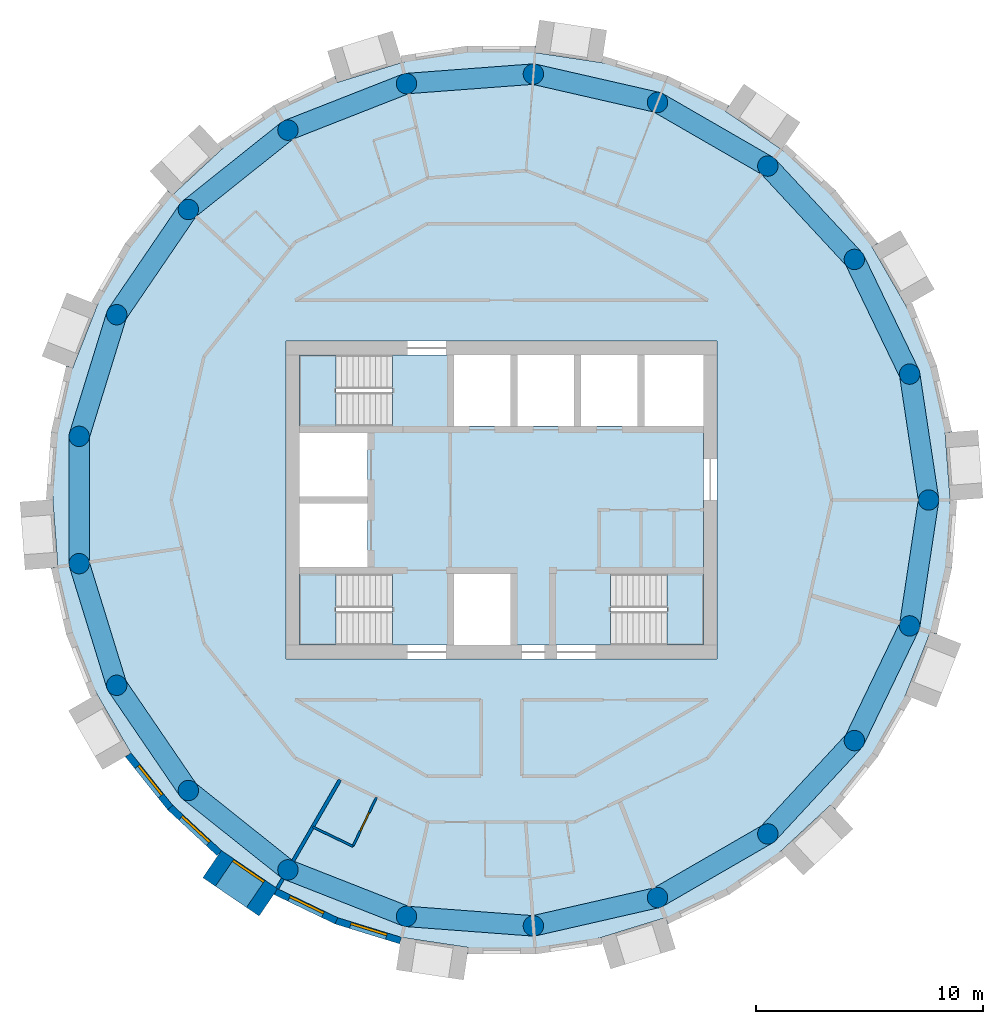
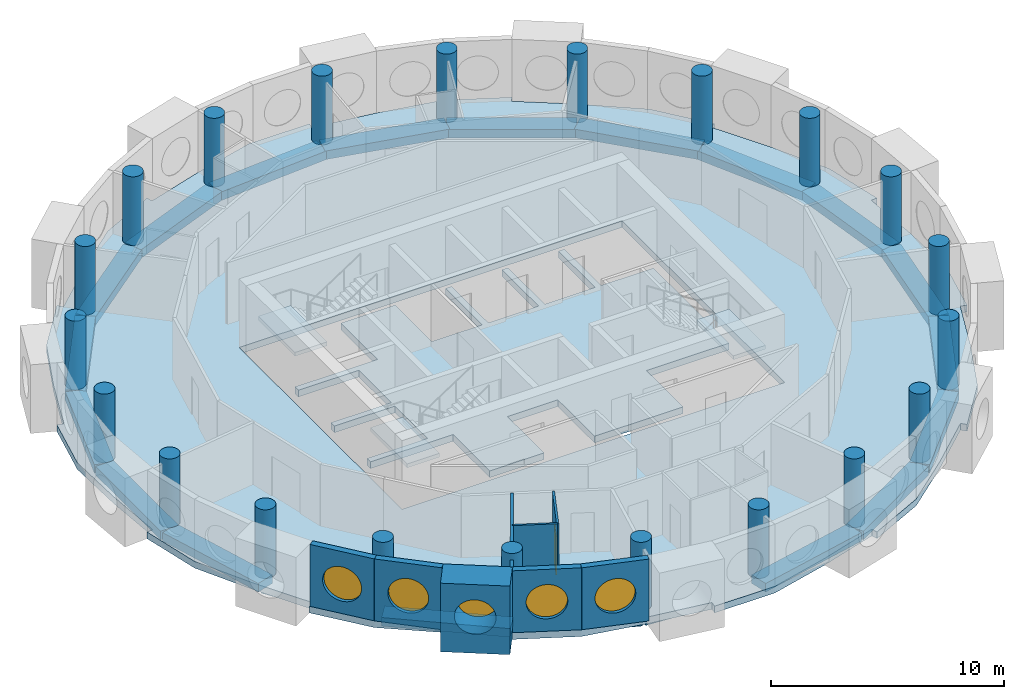
# One storey, part 1 of 13: 21 beams, 21 columns, 8 walls, 5 slabs, 5 windows, 1 door, 6 openings, 3 elements without a shape of their own.
"""IFC4 building model written with IfcOpenShell, lengths in metres."""

from ifc_helpers import new_model, si_unit, direction, frame, frame_2d, origin, origin_2d, place, context, subcontext, project, spatial, polyline, rectangle, circle, outline, extrude, material, layer, layer_set, material_profile, profile_set, type_object, element, fill, aggregate, save


model = new_model("IFC4")

# Units and contexts
model_context = context("Model", 3, precision=1e-05, world=origin(), true_north=direction((0.0, 1.0)))
body_context = subcontext(model_context, "Body", "Model", "MODEL_VIEW")
ifc_project = project(units=[si_unit("LENGTHUNIT", "METRE"), si_unit("AREAUNIT", "SQUARE_METRE"), si_unit("VOLUMEUNIT", "CUBIC_METRE"), si_unit("PLANEANGLEUNIT", "RADIAN"), si_unit("MASSUNIT", "GRAM", prefix="KILO")], contexts=[model_context])

# Site, building, storey
site_placement = place(None, origin())
site = spatial("IfcSite", under=ifc_project, at=site_placement, CompositionType="ELEMENT")
building_placement = place(site_placement, origin())
building = spatial("IfcBuilding", under=site, at=building_placement, Name="Tracery Tower", CompositionType="ELEMENT")
storey_placement = place(building_placement, frame((0.0, 0.0, 319.800048828125)))
storey = spatial("IfcBuildingStorey", under=building, at=storey_placement, Name="L83", CompositionType="ELEMENT", Elevation=319.800048828125)

# Columns
ifc_material_1 = material(Name="Concrete C40/50", Category="concrete")
ifc_material_profile_1 = material_profile(ifc_material_1, circle(Radius=0.449951171875, at=origin_2d()), Name="RC D900")
ifc_profile_set_1 = profile_set([ifc_material_profile_1], Name="Concrete C40/50")
column_type = type_object("IfcColumnType", Name="Ring 2 column 900", PredefinedType="COLUMN", material=ifc_profile_set_1)
for number, where, z_axis, x_axis, name in (
    (1, (18.822265625, 0.0, 0.0), (0.0, 0.0, 1.0), (1.0, 0.0, 0.0), "Ring 2 column 00 at L83"),
    (2, (17.986083984375, 5.5478515625, 0.0), (0.0, 0.0, 1.0), (1.0, 0.0, 0.0), "Ring 2 column 01 at L83"),
    (3, (15.551513671875, 10.602783203125, 0.0), (0.0, 0.0, 1.0), (1.0, 0.0, 0.0), "Ring 2 column 02 at L83"),
    (4, (11.7353515625, 14.7158203125, 0.0), (0.0, 0.0, 1.0), (1.0, 0.0, 0.0), "Ring 2 column 03 at L83"),
    (5, (6.87646484375, 17.52099609375, 0.0), (0.0, 0.0, 1.0), (1.0, 0.0, 0.0), "Ring 2 column 04 at L83"),
    (6, (1.406494140625, 18.76953125, 0.0), (0.0, 0.0, 1.0), (1.0, 0.0, 0.0), "Ring 2 column 05 at L83"),
    (7, (-4.188232421875, 18.350341796875, 0.0), (0.0, 0.0, 1.0), (1.0, 0.0, 0.0), "Ring 2 column 06 at L83"),
    (8, (-9.4111328125, 16.300537109375, 0.0), (0.0, 0.0, 1.0), (1.0, 0.0, 0.0), "Ring 2 column 07 at L83"),
    (9, (-13.797607421875, 12.802490234375, 0.0), (0.0, 0.0, 1.0), (1.0, 0.0, 0.0), "Ring 2 column 08 at L83"),
    (10, (-16.958251953125, 8.16650390625, 0.0), (0.0, 0.0, 1.0), (1.0, 0.0, 0.0), "Ring 2 column 09 at L83"),
    (11, (-18.612060546875, 2.805419921875, 0.0), (0.0, 0.0, 1.0), (1.0, 0.0, 0.0), "Ring 2 column 10 at L83"),
    (12, (-18.612060546875, -2.805419921875, 0.0), (0.0, 0.0, 1.0), (1.0, 0.0, 0.0), "Ring 2 column 11 at L83"),
    (13, (-16.958251953125, -8.166748046875, 0.0), (0.0, 0.0, 1.0), (1.0, 0.0, 0.0), "Ring 2 column 12 at L83"),
    (14, (-13.797607421875, -12.80224609375, 0.0), (0.0, 0.0, 1.0), (1.0, 0.0, 0.0), "Ring 2 column 13 at L83"),
    (15, (-9.4111328125, -16.300537109375, 0.0), (0.0, 0.0, 1.0), (1.0, 0.0, 0.0), "Ring 2 column 14 at L83"),
    (16, (-4.188232421875, -18.350341796875, 0.0), (0.0, 0.0, 1.0), (1.0, 0.0, 0.0), "Ring 2 column 15 at L83"),
    (17, (1.406494140625, -18.76953125, 0.0), (0.0, 0.0, 1.0), (1.0, 0.0, 0.0), "Ring 2 column 16 at L83"),
    (18, (6.87646484375, -17.52099609375, 0.0), (0.0, 0.0, 1.0), (1.0, 0.0, 0.0), "Ring 2 column 17 at L83"),
    (19, (11.7353515625, -14.7158203125, 0.0), (0.0, 0.0, 1.0), (1.0, 0.0, 0.0), "Ring 2 column 18 at L83"),
    (20, (15.551513671875, -10.602783203125, 0.0), (0.0, 0.0, 1.0), (1.0, 0.0, 0.0), "Ring 2 column 19 at L83"),
    (21, (17.986083984375, -5.5478515625, 0.0), (0.0, 0.0, 1.0), (1.0, 0.0, 0.0), "Ring 2 column 20 at L83"),
):
    element("IfcColumn", number, at=place(storey_placement, frame(where, z_axis=z_axis, x_axis=x_axis)), inside=storey, type_object=column_type, Name=name, PredefinedType="COLUMN", context=body_context, shape_type="SweptSolid", body=[
        extrude(circle(Radius=0.449951171875, at=origin_2d()), origin(), (0.0, 0.0, 1.0), 3.599853515625),
    ])

# Beams
ifc_material_2 = material(Name="Concrete C40/50", Category="concrete")
ifc_material_profile_2 = material_profile(ifc_material_2, rectangle(XDim=0.89990234375, YDim=0.449951171875, at=origin_2d()), Name="RC 900x450")
ifc_profile_set_2 = profile_set([ifc_material_profile_2], Name="Concrete C40/50")
beam_type = type_object("IfcBeamType", Name="Perimeter band beam 900x450", PredefinedType="BEAM", material=ifc_profile_set_2)
for number, where, z_axis, x_axis, name in (
    (22, (18.822265625, 0.0, -0.574951171875), (-0.149038355855, 0.988831415603, 0.0), (-0.988831415603, -0.149038355855, 0.0), "Perimeter beam 2.00 under L83"),
    (23, (17.986083984375, 5.5478515625, -0.574951171875), (-0.433918973155, 0.900951899235, 0.0), (-0.900951899235, -0.433918973155, 0.0), "Perimeter beam 2.01 under L83"),
):
    element("IfcBeam", number, at=place(storey_placement, frame(where, z_axis=z_axis, x_axis=x_axis)), inside=storey, type_object=beam_type, Name=name, PredefinedType="BEAM", context=body_context, shape_type="SweptSolid", body=[
        extrude(rectangle(XDim=0.89990234375, YDim=0.449951171875, at=origin_2d()), origin(), (0.0, 0.0, 1.0), 5.610595703125),
    ])
beam_1_placement = place(storey_placement, frame((15.551513671875, 10.602783203125, -0.574951171875), z_axis=(-0.680155630824, 0.733067744386, 0.0), x_axis=(-0.733067744386, -0.680155630824, 0.0)))
element("IfcBeam", 24, at=beam_1_placement, inside=storey, type_object=beam_type, Name="Perimeter beam 2.02 under L83", PredefinedType="BEAM", context=body_context, shape_type="SweptSolid", body=[
    extrude(rectangle(XDim=0.89990234375, YDim=0.449951171875, at=origin_2d()), origin(), (0.0, 0.0, 1.0), 5.61083984375),
])
for number, where, z_axis, x_axis, name in (
    (25, (11.7353515625, 14.7158203125, -0.574951171875), (-0.866033412818, 0.49998612769, 0.0), (-0.49998612769, -0.866033412818, 0.0), "Perimeter beam 2.03 under L83"),
    (26, (6.87646484375, 17.52099609375, -0.574951171875), (-0.974925977366, 0.222529410768, 0.0), (-0.222529410768, -0.974925977366, 0.0), "Perimeter beam 2.04 under L83"),
):
    element("IfcBeam", number, at=place(storey_placement, frame(where, z_axis=z_axis, x_axis=x_axis)), inside=storey, type_object=beam_type, Name=name, PredefinedType="BEAM", context=body_context, shape_type="SweptSolid", body=[
        extrude(rectangle(XDim=0.89990234375, YDim=0.449951171875, at=origin_2d()), origin(), (0.0, 0.0, 1.0), 5.610595703125),
    ])
beam_2_placement = place(storey_placement, frame((1.406494140625, 18.76953125, -0.574951171875), z_axis=(-0.997204824387, -0.07471638521, 0.0), x_axis=(0.07471638521, -0.997204824387, 0.0)))
element("IfcBeam", 27, at=beam_2_placement, inside=storey, type_object=beam_type, Name="Perimeter beam 2.05 under L83", PredefinedType="BEAM", context=body_context, shape_type="SweptSolid", body=[
    extrude(rectangle(XDim=0.89990234375, YDim=0.449951171875, at=origin_2d()), origin(), (0.0, 0.0, 1.0), 5.6103515625),
])
beam_3_placement = place(storey_placement, frame((-4.188232421875, 18.350341796875, -0.574951171875), z_axis=(-0.930875728468, -0.365335979817, 0.0), x_axis=(0.365335979817, -0.930875728468, 0.0)))
element("IfcBeam", 28, at=beam_3_placement, inside=storey, type_object=beam_type, Name="Perimeter beam 2.06 under L83", PredefinedType="BEAM", context=body_context, shape_type="SweptSolid", body=[
    extrude(rectangle(XDim=0.89990234375, YDim=0.449951171875, at=origin_2d()), origin(), (0.0, 0.0, 1.0), 5.61083984375),
])
beam_4_placement = place(storey_placement, frame((-9.4111328125, 16.300537109375, -0.574951171875), z_axis=(-0.781835817725, -0.623484365579, 0.0), x_axis=(0.623484365579, -0.781835817725, 0.0)))
element("IfcBeam", 29, at=beam_4_placement, inside=storey, type_object=beam_type, Name="Perimeter beam 2.07 under L83", PredefinedType="BEAM", context=body_context, shape_type="SweptSolid", body=[
    extrude(rectangle(XDim=0.89990234375, YDim=0.449951171875, at=origin_2d()), origin(), (0.0, 0.0, 1.0), 5.610595703125),
])
beam_5_placement = place(storey_placement, frame((-13.797607421875, 12.802490234375, -0.574951171875), z_axis=(-0.563305770578, -0.826248515178, 0.0), x_axis=(0.826248515178, -0.563305770578, 0.0)))
element("IfcBeam", 30, at=beam_5_placement, inside=storey, type_object=beam_type, Name="Perimeter beam 2.08 under L83", PredefinedType="BEAM", context=body_context, shape_type="SweptSolid", body=[
    extrude(rectangle(XDim=0.89990234375, YDim=0.449951171875, at=origin_2d()), origin(), (0.0, 0.0, 1.0), 5.61083984375),
])
beam_6_placement = place(storey_placement, frame((-16.958251953125, 8.16650390625, -0.574951171875), z_axis=(-0.294776851839, -0.955566118916, 0.0), x_axis=(0.955566118916, -0.294776851839, 0.0)))
element("IfcBeam", 31, at=beam_6_placement, inside=storey, type_object=beam_type, Name="Perimeter beam 2.09 under L83", PredefinedType="BEAM", context=body_context, shape_type="SweptSolid", body=[
    extrude(rectangle(XDim=0.89990234375, YDim=0.449951171875, at=origin_2d()), origin(), (0.0, 0.0, 1.0), 5.6103515625),
])
beam_7_placement = place(storey_placement, frame((-18.612060546875, 2.805419921875, -0.574951171875), z_axis=(0.0, -1.0, 0.0), x_axis=(1.0, 0.0, 0.0)))
element("IfcBeam", 32, at=beam_7_placement, inside=storey, type_object=beam_type, Name="Perimeter beam 2.10 under L83", PredefinedType="BEAM", context=body_context, shape_type="SweptSolid", body=[
    extrude(rectangle(XDim=0.89990234375, YDim=0.449951171875, at=origin_2d()), origin(), (0.0, 0.0, 1.0), 5.61083984375),
])
for number, where, z_axis, x_axis, name in (
    (33, (-18.612060546875, -2.805419921875, -0.574951171875), (0.294764594813, -0.955569899926, 0.0), (0.955569899926, 0.294764594813, 0.0), "Perimeter beam 2.11 under L83"),
    (34, (-16.958251953125, -8.166748046875, -0.574951171875), (0.5633462764, -0.826220898348, 0.0), (0.826220898348, 0.5633462764, 0.0), "Perimeter beam 2.12 under L83"),
    (35, (-13.797607421875, -12.80224609375, -0.574951171875), (0.781814605872, -0.623510963853, 0.0), (0.623510963853, 0.781814605872, 0.0), "Perimeter beam 2.13 under L83"),
):
    element("IfcBeam", number, at=place(storey_placement, frame(where, z_axis=z_axis, x_axis=x_axis)), inside=storey, type_object=beam_type, Name=name, PredefinedType="BEAM", context=body_context, shape_type="SweptSolid", body=[
        extrude(rectangle(XDim=0.89990234375, YDim=0.449951171875, at=origin_2d()), origin(), (0.0, 0.0, 1.0), 5.610595703125),
    ])
beam_8_placement = place(storey_placement, frame((-9.4111328125, -16.300537109375, -0.574951171875), z_axis=(0.930875728468, -0.365335979817, 0.0), x_axis=(0.365335979817, 0.930875728468, 0.0)))
element("IfcBeam", 36, at=beam_8_placement, inside=storey, type_object=beam_type, Name="Perimeter beam 2.14 under L83", PredefinedType="BEAM", context=body_context, shape_type="SweptSolid", body=[
    extrude(rectangle(XDim=0.89990234375, YDim=0.449951171875, at=origin_2d()), origin(), (0.0, 0.0, 1.0), 5.61083984375),
])
beam_9_placement = place(storey_placement, frame((-4.188232421875, -18.350341796875, -0.574951171875), z_axis=(0.997204824387, -0.07471638521, 0.0), x_axis=(0.07471638521, 0.997204824387, 0.0)))
element("IfcBeam", 37, at=beam_9_placement, inside=storey, type_object=beam_type, Name="Perimeter beam 2.15 under L83", PredefinedType="BEAM", context=body_context, shape_type="SweptSolid", body=[
    extrude(rectangle(XDim=0.89990234375, YDim=0.449951171875, at=origin_2d()), origin(), (0.0, 0.0, 1.0), 5.6103515625),
])
for number, where, z_axis, x_axis, name in (
    (38, (1.406494140625, -18.76953125, -0.574951171875), (0.974925977366, 0.222529410768, 0.0), (-0.222529410768, 0.974925977366, 0.0), "Perimeter beam 2.16 under L83"),
    (39, (6.87646484375, -17.52099609375, -0.574951171875), (0.866033412818, 0.49998612769, 0.0), (-0.49998612769, 0.866033412818, 0.0), "Perimeter beam 2.17 under L83"),
):
    element("IfcBeam", number, at=place(storey_placement, frame(where, z_axis=z_axis, x_axis=x_axis)), inside=storey, type_object=beam_type, Name=name, PredefinedType="BEAM", context=body_context, shape_type="SweptSolid", body=[
        extrude(rectangle(XDim=0.89990234375, YDim=0.449951171875, at=origin_2d()), origin(), (0.0, 0.0, 1.0), 5.610595703125),
    ])
beam_10_placement = place(storey_placement, frame((11.7353515625, -14.7158203125, -0.574951171875), z_axis=(0.680155630824, 0.733067744386, 0.0), x_axis=(-0.733067744386, 0.680155630824, 0.0)))
element("IfcBeam", 40, at=beam_10_placement, inside=storey, type_object=beam_type, Name="Perimeter beam 2.18 under L83", PredefinedType="BEAM", context=body_context, shape_type="SweptSolid", body=[
    extrude(rectangle(XDim=0.89990234375, YDim=0.449951171875, at=origin_2d()), origin(), (0.0, 0.0, 1.0), 5.61083984375),
])
for number, where, z_axis, x_axis, name in (
    (41, (15.551513671875, -10.602783203125, -0.574951171875), (0.433918973155, 0.900951899235, 0.0), (-0.900951899235, 0.433918973155, 0.0), "Perimeter beam 2.19 under L83"),
    (42, (17.986083984375, -5.5478515625, -0.574951171875), (0.149038355855, 0.988831415603, 0.0), (-0.988831415603, 0.149038355855, 0.0), "Perimeter beam 2.20 under L83"),
):
    element("IfcBeam", number, at=place(storey_placement, frame(where, z_axis=z_axis, x_axis=x_axis)), inside=storey, type_object=beam_type, Name=name, PredefinedType="BEAM", context=body_context, shape_type="SweptSolid", body=[
        extrude(rectangle(XDim=0.89990234375, YDim=0.449951171875, at=origin_2d()), origin(), (0.0, 0.0, 1.0), 5.610595703125),
    ])

# Slabs
ifc_material_3 = material(Name="Concrete C40/50", Category="concrete")
ifc_layer_1 = layer(ifc_material_3, 0.35009765625)
ifc_layer_set_1 = layer_set([ifc_layer_1], Name="Core floor slab 350 C40")
slab_type_1 = type_object("IfcSlabType", Name="Core floor slab 350 C40", PredefinedType="FLOOR", material=ifc_layer_set_1)
slab_1_placement = place(storey_placement, frame((0.0, 0.0, -0.35009765625)))
element("IfcSlab", 43, at=slab_1_placement, inside=storey, type_object=slab_type_1, Name="L83 core floor 1", PredefinedType="FLOOR", context=body_context, shape_type="SweptSolid", body=[
    extrude(outline(polyline([(-4.800537109375, -3.25), (-8.89990234375, -3.25), (-8.89990234375, -2.949951171875), (-5.89990234375, -2.949951171875), (-5.89990234375, -0.14990234375), (-8.89990234375, -0.14990234375), (-8.89990234375, 0.14990234375), (-5.89990234375, 0.14990234375), (-5.89990234375, 2.949951171875), (-8.89990234375, 2.949951171875), (-8.89990234375, 3.25), (-4.800537109375, 3.25), (-4.800537109375, 6.39990234375), (-2.10009765625, 6.39990234375), (-2.10009765625, 3.25), (0.39990234375, 3.25), (0.39990234375, 6.39990234375), (0.699951171875, 6.39990234375), (0.699951171875, 3.25), (3.199951171875, 3.25), (3.199951171875, 6.39990234375), (3.5, 6.39990234375), (3.5, 3.25), (6.0, 3.25), (6.0, 6.39990234375), (6.300048828125, 6.39990234375), (6.300048828125, 3.25), (8.89990234375, 3.25), (8.89990234375, -3.25), (4.800537109375, -3.25), (4.800537109375, -6.39990234375), (0.39990234375, -6.39990234375), (0.39990234375, -3.25), (-2.10009765625, -3.25), (-2.10009765625, -6.39990234375), (-4.800537109375, -6.39990234375), (-4.800537109375, -3.25)])), origin(), (0.0, 0.0, 1.0), 0.35009765625),
])
ifc_material_4 = material(Name="Concrete C40/50", Category="concrete")
ifc_layer_2 = layer(ifc_material_4, 0.35009765625)
ifc_layer_set_2 = layer_set([ifc_layer_2], Name="Floor slab 350")
slab_type_2 = type_object("IfcSlabType", Name="Floor slab 350", PredefinedType="FLOOR", material=ifc_layer_set_2)
slab_2_placement = place(storey_placement, frame((0.0, 0.0, -0.35009765625)))
element("IfcSlab", 44, at=slab_2_placement, inside=storey, type_object=slab_type_2, Name="Floor slab L83", PredefinedType="FLOOR", context=body_context, shape_type="SweptSolid", body=[
    extrude(outline(polyline([(19.550537109375, 2.94677734375), (19.548828125, 2.96923828125), (19.847900390625, 2.99169921875), (19.180419921875, 5.91650390625), (17.813720703125, 8.577880859375), (16.32470703125, 11.156982421875), (16.583984375, 11.306884765625), (16.58447265625, 11.30712890625), (14.714111328125, 13.652587890625), (12.3271484375, 15.4580078125), (9.8671875, 17.13525390625), (10.0361328125, 17.383056640625), (7.333251953125, 18.684814453125), (4.3994140625, 19.275634765625), (2.3466796875, 19.585205078125), (1.455322265625, 19.719482421875), (1.5, 20.01611328125), (1.5, 20.01611328125), (-1.5, 20.01611328125), (-4.3994140625, 19.275634765625), (-7.223388671875, 18.404541015625), (-7.223388671875, 18.404541015625), (-7.244873046875, 18.39794921875), (-7.333251953125, 18.684814453125), (-10.0361328125, 17.383056640625), (-12.3271484375, 15.4580078125), (-14.493408203125, 13.447998046875), (-14.493408203125, 13.447998046875), (-14.510009765625, 13.4326171875), (-14.714111328125, 13.652587890625), (-14.714111328125, 13.652587890625), (-16.58447265625, 11.30712890625), (-17.81298828125, 8.5791015625), (-18.901123046875, 5.806884765625), (-19.180419921875, 5.91650390625), (-19.847900390625, 2.99169921875), (-19.771484375, 0.000732421875), (-19.63720703125, -1.789306640625), (-19.550537109375, -2.94677734375), (-19.550537109375, -2.94677734375), (-19.548828125, -2.96923828125), (-19.847900390625, -2.99169921875), (-19.180419921875, -5.91650390625), (-17.813720703125, -8.577880859375), (-16.32470703125, -11.156982421875), (-16.583984375, -11.306884765625), (-16.58447265625, -11.30712890625), (-14.714111328125, -13.652587890625), (-12.3271484375, -15.4580078125), (-9.8671875, -17.13525390625), (-10.0361328125, -17.383056640625), (-7.333251953125, -18.684814453125), (-4.3994140625, -19.275634765625), (-2.3466796875, -19.585205078125), (-1.455322265625, -19.719482421875), (-1.5, -20.01611328125), (-1.5, -20.01611328125), (1.5, -20.01611328125), (4.3994140625, -19.275634765625), (7.223388671875, -18.404541015625), (7.223388671875, -18.404541015625), (7.244873046875, -18.39794921875), (7.333251953125, -18.684814453125), (10.0361328125, -17.383056640625), (12.3271484375, -15.4580078125), (14.493408203125, -13.447998046875), (14.493408203125, -13.447998046875), (14.510009765625, -13.4326171875), (14.714111328125, -13.652587890625), (14.714111328125, -13.652587890625), (16.58447265625, -11.30712890625), (17.81298828125, -8.5791015625), (18.901123046875, -5.806884765625), (19.180419921875, -5.91650390625), (19.847900390625, -2.99169921875), (19.771484375, -0.000732421875), (19.63720703125, 1.789306640625), (19.550537109375, 2.94677734375), (19.550537109375, 2.94677734375)]), holes=[polyline([(-9.5, -7.0), (9.5, -7.0), (9.5, 7.0), (-9.5, 7.0), (-9.5, -7.0)])]), origin(), (0.0, 0.0, 1.0), 0.35009765625),
])

# Stair, slab
ifc_material_5 = material(Name="Concrete C32/40", Category="concrete")
stair_type = type_object("IfcStairType", Name="Core stair 22 risers", PredefinedType="HALF_TURN_STAIR", material=ifc_material_5)
stair_1_placement = place(storey_placement, origin())
stair_1 = element("IfcStair", 45, at=stair_1_placement, inside=storey, type_object=stair_type, Name="L83 stair ST1", PredefinedType="HALF_TURN_STAIR")
ifc_material_6 = material(Name="Concrete C32/40", Category="concrete")
ifc_layer_3 = layer(ifc_material_6, 0.199951171875)
ifc_layer_set_3 = layer_set([ifc_layer_3], Name="Stair landing slab 200")
slab_type_3 = type_object("IfcSlabType", Name="Stair landing slab 200", PredefinedType="LANDING", material=ifc_layer_set_3)
slab_3_placement = place(storey_placement, frame((0.0, 0.0, 1.599853515625)))
slab_3 = element("IfcSlab", 46, at=slab_3_placement, type_object=slab_type_3, Name="ST1 landing 1", PredefinedType="LANDING", context=body_context, shape_type="SweptSolid", body=[
    extrude(outline(polyline([(-7.29931640625, -3.25), (-8.89990234375, -3.25), (-8.89990234375, -6.39990234375), (-7.29931640625, -6.39990234375), (-7.29931640625, -3.25)])), origin(), (0.0, 0.0, 1.0), 0.2001953125),
])
aggregate(stair_1, [slab_3])

stair_2_placement = place(storey_placement, origin())
stair_2 = element("IfcStair", 47, at=stair_2_placement, inside=storey, type_object=stair_type, Name="L83 stair ST3", PredefinedType="HALF_TURN_STAIR")
slab_4_placement = place(storey_placement, frame((0.0, 0.0, 1.599853515625)))
slab_4 = element("IfcSlab", 48, at=slab_4_placement, type_object=slab_type_3, Name="ST3 landing 1", PredefinedType="LANDING", context=body_context, shape_type="SweptSolid", body=[
    extrude(outline(polyline([(-7.29931640625, 6.39990234375), (-8.89990234375, 6.39990234375), (-8.89990234375, 3.25), (-7.29931640625, 3.25), (-7.29931640625, 6.39990234375)])), origin(), (0.0, 0.0, 1.0), 0.2001953125),
])
aggregate(stair_2, [slab_4])

stair_3_placement = place(storey_placement, origin())
stair_3 = element("IfcStair", 49, at=stair_3_placement, inside=storey, type_object=stair_type, Name="L83 stair ST2", PredefinedType="HALF_TURN_STAIR")
slab_5_placement = place(storey_placement, frame((0.0, 0.0, 1.599853515625)))
slab_5 = element("IfcSlab", 50, at=slab_5_placement, type_object=slab_type_3, Name="ST2 landing 1", PredefinedType="LANDING", context=body_context, shape_type="SweptSolid", body=[
    extrude(outline(polyline([(7.29931640625, -6.39990234375), (8.89990234375, -6.39990234375), (8.89990234375, -3.25), (7.29931640625, -3.25), (7.29931640625, -6.39990234375)])), origin(), (0.0, 0.0, 1.0), 0.2001953125),
])
aggregate(stair_3, [slab_5])

# Wall, opening, window
ifc_material_7 = material(Name="Precast concrete C50/60", Category="concrete")
ifc_layer_4 = layer(ifc_material_7, 1.449951171875)
ifc_layer_set_4 = layer_set([ifc_layer_4], Name="Deep-set bay unit 3000 x 3600, slab edge 350")
wall_type_1 = type_object("IfcWallType", Name="Deep-set bay unit 3000 x 3600, slab edge 350", PredefinedType="ELEMENTEDWALL", material=ifc_layer_set_4)
wall_1_placement = place(storey_placement, frame((-12.754150390625, -16.044189453125, -0.35009765625), z_axis=(0.0, 0.0, 1.0), x_axis=(0.826246281157, -0.563309047392, 0.0)))
wall_1 = element("IfcWall", 51, at=wall_1_placement, inside=storey, type_object=wall_type_1, Name="Deep-set bay unit 28 at L83", PredefinedType="ELEMENTEDWALL", context=body_context, shape_type="SweptSolid", body=[
    extrude(rectangle(XDim=3.0, YDim=1.449951171875, at=frame_2d((1.5, 0.0))), origin(), (0.0, 0.0, 1.0), 3.60009765625),
])
opening_1_placement = place(wall_1_placement, frame((1.5, 0.0, 1.89990234375)))
opening_1 = element("IfcOpeningElement", 52, at=opening_1_placement, cuts=wall_1, Name="Opening WN1", PredefinedType="OPENING", context=body_context, shape_type="SweptSolid", body=[
    extrude(circle(Radius=0.9000244140625, at=origin_2d()), frame((0.0, 0.73486328125, 0.0), z_axis=(0.0, -1.0, 0.0), x_axis=(1.0, 0.0, 0.0)), (0.0, 0.0, 1.0), 1.469970703125),
])
ifc_material_8 = material(Name="Aluminium frame with tinted double glazing", Category="aluminium")
window_type = type_object("IfcWindowType", Name="Round window 1800", PartitioningType="SINGLE_PANEL", PredefinedType="WINDOW", material=ifc_material_8)
window_1_placement = place(opening_1_placement, origin())
window_1 = element("IfcWindow", 53, at=window_1_placement, inside=storey, type_object=window_type, Name="Round window 28 at L83", OverallHeight=1.800048828125, OverallWidth=1.800048828125, PartitioningType="SINGLE_PANEL", PredefinedType="WINDOW", context=body_context, shape_type="SweptSolid", body=[
    extrude(circle(Radius=0.9000244140625, at=origin_2d()), frame((0.0, 0.69482421875, 0.0), z_axis=(0.0, -1.0, 0.0), x_axis=(1.0, 0.0, 0.0)), (0.0, 0.0, 1.0), 0.10009765625),
])
fill(opening_1, window_1)

ifc_material_9 = material(Name="Precast concrete C50/60", Category="concrete")
ifc_layer_5 = layer(ifc_material_9, 0.300048828125)
ifc_layer_set_5 = layer_set([ifc_layer_5], Name="Facade panel 3000 x 3250")
wall_type_2 = type_object("IfcWallType", Name="Facade panel 3000 x 3250", PredefinedType="SOLIDWALL", material=ifc_layer_set_5)
wall_2_placement = place(storey_placement, frame((-16.45068359375, -11.234375, 0.0), z_axis=(0.0, 0.0, 1.0), x_axis=(0.623498236992, -0.781824755599, 0.0)))
wall_2 = element("IfcWall", 54, at=wall_2_placement, inside=storey, type_object=wall_type_2, Name="Facade panel 26 at L83", PredefinedType="SOLIDWALL", context=body_context, shape_type="SweptSolid", body=[
    extrude(rectangle(XDim=2.962158203125, YDim=0.300048828125, at=frame_2d((1.48095703125, 0.0))), origin(), (0.0, 0.0, 1.0), 3.25),
])
opening_2_placement = place(wall_2_placement, frame((1.48095703125, 0.0, 1.5498046875)))
opening_2 = element("IfcOpeningElement", 55, at=opening_2_placement, cuts=wall_2, Name="Opening WN1", PredefinedType="OPENING", context=body_context, shape_type="SweptSolid", body=[
    extrude(circle(Radius=0.9000244140625, at=origin_2d()), frame((0.0, 0.159912109375, 0.0), z_axis=(0.0, -1.0, 0.0), x_axis=(1.0, 0.0, 0.0)), (0.0, 0.0, 1.0), 0.320068359375),
])
window_2_placement = place(opening_2_placement, origin())
window_2 = element("IfcWindow", 56, at=window_2_placement, inside=storey, type_object=window_type, Name="Round window 26 at L83", OverallHeight=1.800048828125, OverallWidth=1.800048828125, PartitioningType="SINGLE_PANEL", PredefinedType="WINDOW", context=body_context, shape_type="SweptSolid", body=[
    extrude(circle(Radius=0.9000244140625, at=origin_2d()), frame((0.0, 0.1201171875, 0.0), z_axis=(0.0, -1.0, 0.0), x_axis=(1.0, 0.0, 0.0)), (0.0, 0.0, 1.0), 0.10009765625),
])
fill(opening_2, window_2)

wall_3_placement = place(storey_placement, frame((-14.603759765625, -13.55029296875, 0.0), z_axis=(0.0, 0.0, 1.0), x_axis=(0.733066412643, -0.680157066165, 0.0)))
wall_3 = element("IfcWall", 57, at=wall_3_placement, inside=storey, type_object=wall_type_2, Name="Facade panel 27 at L83", PredefinedType="SOLIDWALL", context=body_context, shape_type="SweptSolid", body=[
    extrude(rectangle(XDim=2.96240234375, YDim=0.300048828125, at=frame_2d((1.481201171875, 0.0))), origin(), (0.0, 0.0, 1.0), 3.25),
])
opening_3_placement = place(wall_3_placement, frame((1.48095703125, 0.0, 1.5498046875)))
opening_3 = element("IfcOpeningElement", 58, at=opening_3_placement, cuts=wall_3, Name="Opening WN1", PredefinedType="OPENING", context=body_context, shape_type="SweptSolid", body=[
    extrude(circle(Radius=0.9000244140625, at=origin_2d()), frame((0.0, 0.159912109375, 0.0), z_axis=(0.0, -1.0, 0.0), x_axis=(1.0, 0.0, 0.0)), (0.0, 0.0, 1.0), 0.320068359375),
])
window_3_placement = place(opening_3_placement, origin())
window_3 = element("IfcWindow", 59, at=window_3_placement, inside=storey, type_object=window_type, Name="Round window 27 at L83", OverallHeight=1.800048828125, OverallWidth=1.800048828125, PartitioningType="SINGLE_PANEL", PredefinedType="WINDOW", context=body_context, shape_type="SweptSolid", body=[
    extrude(circle(Radius=0.9000244140625, at=origin_2d()), frame((0.0, 0.1201171875, 0.0), z_axis=(0.0, -1.0, 0.0), x_axis=(1.0, 0.0, 0.0)), (0.0, 0.0, 1.0), 0.10009765625),
])
fill(opening_3, window_3)

wall_4_placement = place(storey_placement, frame((-9.947021484375, -17.25927734375, 0.0), z_axis=(0.0, 0.0, 1.0), x_axis=(0.900939615635, -0.433944476838, 0.0)))
wall_4 = element("IfcWall", 60, at=wall_4_placement, inside=storey, type_object=wall_type_2, Name="Facade panel 29 at L83", PredefinedType="SOLIDWALL", context=body_context, shape_type="SweptSolid", body=[
    extrude(rectangle(XDim=2.962158203125, YDim=0.300048828125, at=frame_2d((1.48095703125, 0.0))), origin(), (0.0, 0.0, 1.0), 3.25),
])
opening_4_placement = place(wall_4_placement, frame((1.48095703125, 0.0, 1.5498046875)))
opening_4 = element("IfcOpeningElement", 61, at=opening_4_placement, cuts=wall_4, Name="Opening WN1", PredefinedType="OPENING", context=body_context, shape_type="SweptSolid", body=[
    extrude(circle(Radius=0.9000244140625, at=origin_2d()), frame((0.0, 0.159912109375, 0.0), z_axis=(0.0, -1.0, 0.0), x_axis=(1.0, 0.0, 0.0)), (0.0, 0.0, 1.0), 0.320068359375),
])
window_4_placement = place(opening_4_placement, origin())
window_4 = element("IfcWindow", 62, at=window_4_placement, inside=storey, type_object=window_type, Name="Round window 29 at L83", OverallHeight=1.800048828125, OverallWidth=1.800048828125, PartitioningType="SINGLE_PANEL", PredefinedType="WINDOW", context=body_context, shape_type="SweptSolid", body=[
    extrude(circle(Radius=0.9000244140625, at=origin_2d()), frame((0.0, 0.1201171875, 0.0), z_axis=(0.0, -1.0, 0.0), x_axis=(1.0, 0.0, 0.0)), (0.0, 0.0, 1.0), 0.10009765625),
])
fill(opening_4, window_4)

wall_5_placement = place(storey_placement, frame((-7.2783203125, -18.544677734375, 0.0), z_axis=(0.0, 0.0, 1.0), x_axis=(0.95558635705, -0.294711238707, 0.0)))
wall_5 = element("IfcWall", 63, at=wall_5_placement, inside=storey, type_object=wall_type_2, Name="Facade panel 30 at L83", PredefinedType="SOLIDWALL", context=body_context, shape_type="SweptSolid", body=[
    extrude(rectangle(XDim=2.96240234375, YDim=0.300048828125, at=frame_2d((1.481201171875, 0.0))), origin(), (0.0, 0.0, 1.0), 3.25),
])
opening_5_placement = place(wall_5_placement, frame((1.48095703125, 0.0, 1.5498046875)))
opening_5 = element("IfcOpeningElement", 64, at=opening_5_placement, cuts=wall_5, Name="Opening WN1", PredefinedType="OPENING", context=body_context, shape_type="SweptSolid", body=[
    extrude(circle(Radius=0.9000244140625, at=origin_2d()), frame((0.0, 0.159912109375, 0.0), z_axis=(0.0, -1.0, 0.0), x_axis=(1.0, 0.0, 0.0)), (0.0, 0.0, 1.0), 0.320068359375),
])
window_5_placement = place(opening_5_placement, origin())
window_5 = element("IfcWindow", 65, at=window_5_placement, inside=storey, type_object=window_type, Name="Round window 30 at L83", OverallHeight=1.800048828125, OverallWidth=1.800048828125, PartitioningType="SINGLE_PANEL", PredefinedType="WINDOW", context=body_context, shape_type="SweptSolid", body=[
    extrude(circle(Radius=0.9000244140625, at=origin_2d()), frame((0.0, 0.1201171875, 0.0), z_axis=(0.0, -1.0, 0.0), x_axis=(1.0, 0.0, 0.0)), (0.0, 0.0, 1.0), 0.10009765625),
])
fill(opening_5, window_5)

# Wall
ifc_material_10 = material(Name="Plasterboard on steel studs", Category="steel")
ifc_layer_6 = layer(ifc_material_10, 0.10009765625)
ifc_layer_set_6 = layer_set([ifc_layer_6], Name="Partition 100 wet wall")
wall_type_3 = type_object("IfcWallType", Name="Partition 100 wet wall", PredefinedType="PARTITIONING", material=ifc_layer_set_6)
wall_6_placement = place(storey_placement, frame((-8.319091796875, -14.408935546875, 0.0), z_axis=(0.0, 0.0, 1.0), x_axis=(0.900936932599, -0.433950047216, 0.0)))
element("IfcWall", 66, at=wall_6_placement, inside=storey, type_object=wall_type_3, Name="Wet wall RC9-059", PredefinedType="PARTITIONING", context=body_context, shape_type="SweptSolid", body=[
    extrude(rectangle(XDim=1.9658203125, YDim=0.10009765625, at=frame_2d((0.98291015625, 0.0))), origin(), (0.0, 0.0, 1.0), 3.25),
])

# Wall, opening, door
wall_7_placement = place(storey_placement, frame((-6.548095703125, -15.261962890625, 0.0), z_axis=(0.0, 0.0, 1.0), x_axis=(0.433855388624, 0.900982520231, 0.0)))
wall_7 = element("IfcWall", 67, at=wall_7_placement, inside=storey, type_object=wall_type_3, Name="Wet wall RC9-060", PredefinedType="PARTITIONING", context=body_context, shape_type="SweptSolid", body=[
    extrude(rectangle(XDim=2.3994140625, YDim=0.10009765625, at=frame_2d((1.19970703125, 0.0))), origin(), (0.0, 0.0, 1.0), 3.25),
])
opening_6_placement = place(wall_7_placement, frame((0.75, 0.0, 0.0)))
opening_6 = element("IfcOpeningElement", 68, at=opening_6_placement, cuts=wall_7, Name="Opening RC9-15", PredefinedType="OPENING", context=body_context, shape_type="SweptSolid", body=[
    extrude(rectangle(XDim=0.89990234375, YDim=2.0400390625, at=frame_2d((0.449951171875, 1.02001953125))), frame((0.0, 0.050048828125, 0.0), z_axis=(0.0, -1.0, 0.0), x_axis=(1.0, 0.0, 0.0)), (0.0, 0.0, 1.0), 0.10009765625),
])
ifc_material_11 = material(Name="Timber door leaf", Category="wood")
door_type = type_object("IfcDoorType", Name="Door en-suite 900", OperationType="NOTDEFINED", PredefinedType="DOOR", material=ifc_material_11)
door_placement = place(opening_6_placement, origin())
door = element("IfcDoor", 69, at=door_placement, inside=storey, type_object=door_type, Name="En-suite door RC9-15", OperationType="SINGLE_SWING_RIGHT", OverallHeight=2.0400390625, OverallWidth=0.89990234375, PredefinedType="DOOR", context=body_context, shape_type="SweptSolid", body=[
    extrude(rectangle(XDim=0.89990234375, YDim=2.0400390625, at=frame_2d((0.449951171875, 1.02001953125))), frame((0.0, 0.02490234375, 0.0), z_axis=(0.0, -1.0, 0.0), x_axis=(1.0, 0.0, 0.0)), (0.0, 0.0, 1.0), 0.050048828125),
])
fill(opening_6, door)

# Wall
ifc_material_12 = material(Name="Plasterboard on steel studs", Category="steel")
ifc_layer_7 = layer(ifc_material_12, 0.14990234375)
ifc_layer_set_7 = layer_set([ifc_layer_7], Name="Partition 150 acoustic unit wall")
wall_type_4 = type_object("IfcWallType", Name="Partition 150 acoustic unit wall", PredefinedType="PARTITIONING", material=ifc_layer_set_7)
wall_8_placement = place(storey_placement, frame((-9.885986328125, -17.1220703125, 0.0), z_axis=(0.0, 0.0, 1.0), x_axis=(0.500073446025, 0.865982995549, 0.0)))
element("IfcWall", 70, at=wall_8_placement, inside=storey, type_object=wall_type_4, Name="Unit wall RC9-058", PredefinedType="PARTITIONING", context=body_context, shape_type="SweptSolid", body=[
    extrude(rectangle(XDim=5.539306640625, YDim=0.14990234375, at=frame_2d((2.76953125, 0.0))), origin(), (0.0, 0.0, 1.0), 3.25),
])

save(model, "model.ifc")
